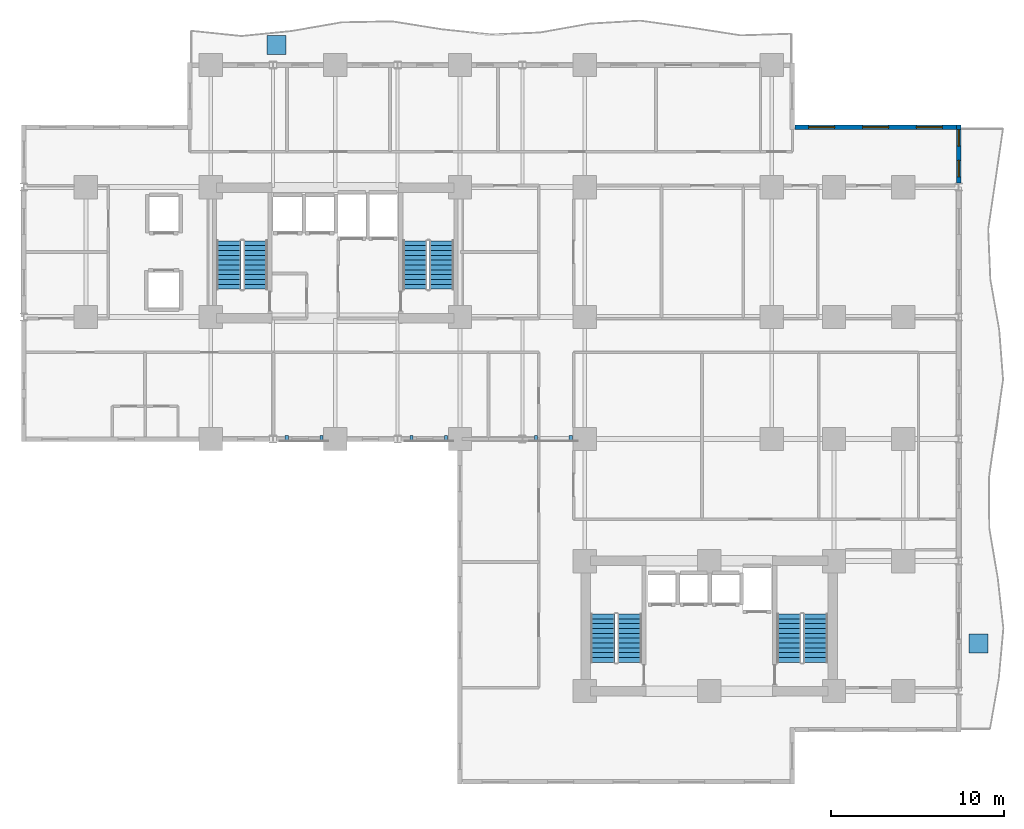
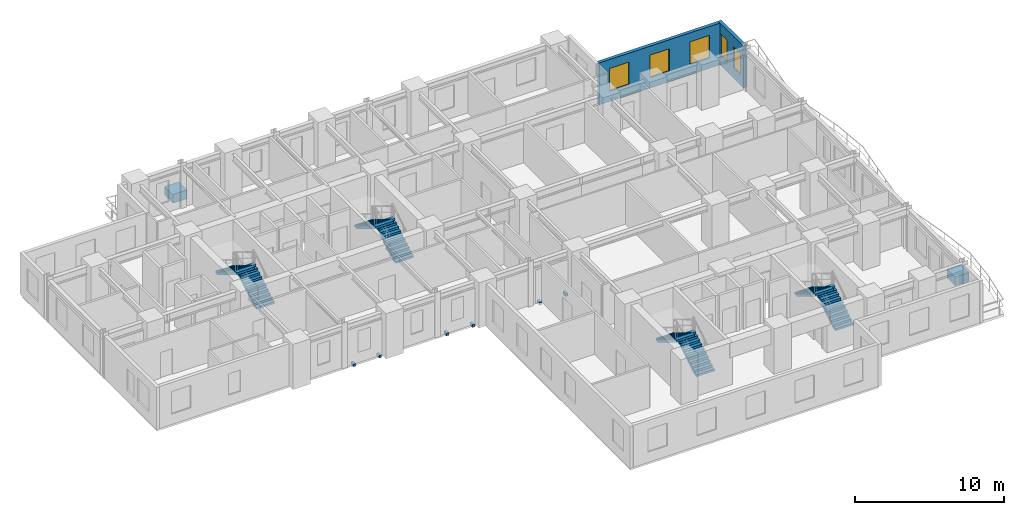
# One storey, part 8 of 11: 8 discrete accessories, 8 stair flights, 5 windows, 2 walls, 5 openings, 4 elements without a shape of their own.
"""IFC4 building model written with IfcOpenShell, lengths in metres."""

from ifc_helpers import new_model, si_unit, direction, frame, frame_2d, origin, origin_2d, place, context, subcontext, project, spatial, polyline, rectangle, outline, extrude, source, transform, mapped, material, layer, layer_set, type_object, element, fill, aggregate, save


model = new_model("IFC4")

# Units and contexts
model_context = context("Model", 3, precision=1e-05, world=origin(), true_north=direction((0.0, 1.0)))
body_context = subcontext(model_context, "Body", "Model", "MODEL_VIEW")
ifc_project = project(units=[si_unit("LENGTHUNIT", "METRE"), si_unit("AREAUNIT", "SQUARE_METRE"), si_unit("VOLUMEUNIT", "CUBIC_METRE"), si_unit("PLANEANGLEUNIT", "RADIAN"), si_unit("MASSUNIT", "GRAM", prefix="KILO")], contexts=[model_context])

# Site, building, storey
site_placement = place(None, origin())
site = spatial("IfcSite", under=ifc_project, at=site_placement, CompositionType="ELEMENT")
building_placement = place(site_placement, origin())
building = spatial("IfcBuilding", under=site, at=building_placement, Name="Kaliganga Portal Commons", CompositionType="ELEMENT")
storey_placement = place(building_placement, frame((0.0, 0.0, 58.60009765625)))
storey = spatial("IfcBuildingStorey", under=building, at=storey_placement, Name="L14", CompositionType="ELEMENT", Elevation=58.60009765625)

# Wall, openings, windows
ifc_material_1 = material(Name="Insulated Aluminium-Clad Spandrel Assembly", Category="aluminium")
ifc_layer = layer(ifc_material_1, 0.260009765625)
ifc_layer_set = layer_set([ifc_layer], Name="Insulated Aluminium-Clad Spandrel Assembly")
wall_type = type_object("IfcWallType", Name="WL-EXT-SPAND-260", PredefinedType="STANDARD", material=ifc_layer_set)
wall_1_placement = place(storey_placement, frame((57.60009765625, 39.72998046875, 0.0), z_axis=(0.0, 0.0, 1.0), x_axis=(0.0, -1.0, 0.0)))
wall_1 = element("IfcWall", 1, at=wall_1_placement, inside=storey, type_object=wall_type, Name="Exterior Envelope Wall L14 P1-E03-S6", PredefinedType="STANDARD", context=body_context, shape_type="SweptSolid", body=[
    extrude(rectangle(XDim=3.35595703125, YDim=0.260009765625, at=frame_2d((1.677978515625, 0.0))), origin(), (0.0, 0.0, 1.0), 3.429931640625),
])
opening_1_placement = place(wall_1_placement, frame((2.035400390625, 0.0, 0.85009765625)))
opening_1 = element("IfcOpeningElement", 2, at=opening_1_placement, cuts=wall_1, Name="Opening W-04", PredefinedType="OPENING", context=body_context, shape_type="SweptSolid", body=[
    extrude(rectangle(XDim=0.949951171875, YDim=1.75, at=frame_2d((0.47509765625, 0.875))), frame((0.0, 0.14013671875, 0.0), z_axis=(0.0, -1.0, 0.0), x_axis=(1.0, 0.0, 0.0)), (0.0, 0.0, 1.0), 0.280029296875),
])
opening_2_placement = place(wall_1_placement, frame((0.26318359375, 0.0, 0.85009765625)))
opening_2 = element("IfcOpeningElement", 3, at=opening_2_placement, cuts=wall_1, Name="Opening W-04", PredefinedType="OPENING", context=body_context, shape_type="SweptSolid", body=[
    extrude(rectangle(XDim=0.949951171875, YDim=1.75, at=frame_2d((0.47509765625, 0.875))), frame((0.0, 0.14013671875, 0.0), z_axis=(0.0, -1.0, 0.0), x_axis=(1.0, 0.0, 0.0)), (0.0, 0.0, 1.0), 0.280029296875),
])
ifc_material_2 = material(Name="Thermally Broken Aluminium and Low-E Double Glazing", Category="aluminium")
window_type_1 = type_object("IfcWindowType", Name="WIN-NARROW-950", PartitioningType="SINGLE_PANEL", PredefinedType="WINDOW", material=ifc_material_2)
window_1_placement = place(opening_1_placement, origin())
window_1 = element("IfcWindow", 4, at=window_1_placement, inside=storey, type_object=window_type_1, Name="Facade Window L14-P1E03S6-N2", OverallHeight=1.75, OverallWidth=0.949951171875, PartitioningType="SINGLE_PANEL", PredefinedType="WINDOW", context=body_context, shape_type="SweptSolid", body=[
    extrude(rectangle(XDim=0.949951171875, YDim=1.75, at=frame_2d((0.47509765625, 0.875))), frame((0.0, 0.030029296875, 0.0), z_axis=(0.0, -1.0, 0.0), x_axis=(1.0, 0.0, 0.0)), (0.0, 0.0, 1.0), 0.06005859375),
])
fill(opening_1, window_1)
window_2_placement = place(opening_2_placement, origin())
window_2 = element("IfcWindow", 5, at=window_2_placement, inside=storey, type_object=window_type_1, Name="Facade Window L14-P1E03S6-N9", OverallHeight=1.75, OverallWidth=0.949951171875, PartitioningType="SINGLE_PANEL", PredefinedType="WINDOW", context=body_context, shape_type="SweptSolid", body=[
    extrude(rectangle(XDim=0.949951171875, YDim=1.75, at=frame_2d((0.47509765625, 0.875))), frame((0.0, 0.030029296875, 0.0), z_axis=(0.0, -1.0, 0.0), x_axis=(1.0, 0.0, 0.0)), (0.0, 0.0, 1.0), 0.06005859375),
])
fill(opening_2, window_2)

wall_2_placement = place(storey_placement, frame((48.135009765625, 39.60009765625, 0.0), z_axis=(0.0, 0.0, 1.0), x_axis=(1.0, 0.0, 0.0)))
wall_2 = element("IfcWall", 6, at=wall_2_placement, inside=storey, type_object=wall_type, Name="Exterior Envelope Wall L14 P1-E04-S1", PredefinedType="STANDARD", context=body_context, shape_type="SweptSolid", body=[
    extrude(rectangle(XDim=9.330078125, YDim=0.260009765625, at=frame_2d((4.6650390625, 0.0))), origin(), (0.0, 0.0, 1.0), 3.429931640625),
])
opening_3_placement = place(wall_2_placement, frame((0.804931640625, 0.0, 0.85009765625)))
opening_3 = element("IfcOpeningElement", 7, at=opening_3_placement, cuts=wall_2, Name="Opening W-02", PredefinedType="OPENING", context=body_context, shape_type="SweptSolid", body=[
    extrude(rectangle(XDim=1.5, YDim=1.85009765625, at=frame_2d((0.75, 0.925048828125))), frame((0.0, 0.14013671875, 0.0), z_axis=(0.0, -1.0, 0.0), x_axis=(1.0, 0.0, 0.0)), (0.0, 0.0, 1.0), 0.280029296875),
])
opening_4_placement = place(wall_2_placement, frame((3.9150390625, 0.0, 0.85009765625)))
opening_4 = element("IfcOpeningElement", 8, at=opening_4_placement, cuts=wall_2, Name="Opening W-02", PredefinedType="OPENING", context=body_context, shape_type="SweptSolid", body=[
    extrude(rectangle(XDim=1.5, YDim=1.85009765625, at=frame_2d((0.75, 0.925048828125))), frame((0.0, 0.14013671875, 0.0), z_axis=(0.0, -1.0, 0.0), x_axis=(1.0, 0.0, 0.0)), (0.0, 0.0, 1.0), 0.280029296875),
])
opening_5_placement = place(wall_2_placement, frame((7.02490234375, 0.0, 0.85009765625)))
opening_5 = element("IfcOpeningElement", 9, at=opening_5_placement, cuts=wall_2, Name="Opening W-02", PredefinedType="OPENING", context=body_context, shape_type="SweptSolid", body=[
    extrude(rectangle(XDim=1.5, YDim=1.85009765625, at=frame_2d((0.75, 0.925048828125))), frame((0.0, 0.14013671875, 0.0), z_axis=(0.0, -1.0, 0.0), x_axis=(1.0, 0.0, 0.0)), (0.0, 0.0, 1.0), 0.280029296875),
])
window_type_2 = type_object("IfcWindowType", Name="WIN-STD-1500", PartitioningType="DOUBLE_PANEL_VERTICAL", PredefinedType="WINDOW", material=ifc_material_2)
window_3_placement = place(opening_3_placement, origin())
window_3 = element("IfcWindow", 10, at=window_3_placement, inside=storey, type_object=window_type_2, Name="Facade Window L14-P1E04S1-00", OverallHeight=1.85009765625, OverallWidth=1.5, PartitioningType="SINGLE_PANEL", PredefinedType="WINDOW", context=body_context, shape_type="SweptSolid", body=[
    extrude(rectangle(XDim=1.5, YDim=1.85009765625, at=frame_2d((0.75, 0.925048828125))), frame((0.0, 0.030029296875, 0.0), z_axis=(0.0, -1.0, 0.0), x_axis=(1.0, 0.0, 0.0)), (0.0, 0.0, 1.0), 0.06005859375),
])
fill(opening_3, window_3)
window_4_placement = place(opening_4_placement, origin())
window_4 = element("IfcWindow", 11, at=window_4_placement, inside=storey, type_object=window_type_2, Name="Facade Window L14-P1E04S1-01", OverallHeight=1.85009765625, OverallWidth=1.5, PartitioningType="SINGLE_PANEL", PredefinedType="WINDOW", context=body_context, shape_type="SweptSolid", body=[
    extrude(rectangle(XDim=1.5, YDim=1.85009765625, at=frame_2d((0.75, 0.925048828125))), frame((0.0, 0.030029296875, 0.0), z_axis=(0.0, -1.0, 0.0), x_axis=(1.0, 0.0, 0.0)), (0.0, 0.0, 1.0), 0.06005859375),
])
fill(opening_4, window_4)
window_5_placement = place(opening_5_placement, origin())
window_5 = element("IfcWindow", 12, at=window_5_placement, inside=storey, type_object=window_type_2, Name="Facade Window L14-P1E04S1-02", OverallHeight=1.85009765625, OverallWidth=1.5, PartitioningType="SINGLE_PANEL", PredefinedType="WINDOW", context=body_context, shape_type="SweptSolid", body=[
    extrude(rectangle(XDim=1.5, YDim=1.85009765625, at=frame_2d((0.75, 0.925048828125))), frame((0.0, 0.030029296875, 0.0), z_axis=(0.0, -1.0, 0.0), x_axis=(1.0, 0.0, 0.0)), (0.0, 0.0, 1.0), 0.06005859375),
])
fill(opening_5, window_5)

# Stair, stair flights
ifc_material_3 = material(Name="Concrete C40/50", Category="concrete")
stair_type = type_object("IfcStairType", Name="ST-CORE-DOGLEG", PredefinedType="HALF_TURN_STAIR", material=ifc_material_3)
stair_1_placement = place(storey_placement, origin())
stair_1 = element("IfcStair", 13, at=stair_1_placement, inside=storey, type_object=stair_type, Name="L14 Protected Exit Stair ST-A1", PredefinedType="HALF_TURN_STAIR")
stair_flight_type = type_object("IfcStairFlightType", Name="STF-RC-1400", PredefinedType="STRAIGHT", material=ifc_material_3)
stair_flight_1_placement = place(storey_placement, frame((17.0, 30.25, 0.0), z_axis=(0.0, 0.0, 1.0), x_axis=(0.0, 1.0, 0.0)))
stair_flight_1 = element("IfcStairFlight", 14, at=stair_flight_1_placement, type_object=stair_flight_type, Name="ST-A1 flight 1", NumberOfRisers=11, NumberOfTreads=10, PredefinedType="STRAIGHT", RiserHeight=0.168181818, TreadLength=0.28, context=body_context, shape_type="SweptSolid", body=[
    extrude(outline(polyline([(0.0, 0.0), (0.0, 0.168212890625), (0.280029296875, 0.168212890625), (0.280029296875, 0.33642578125), (0.56005859375, 0.33642578125), (0.56005859375, 0.504638671875), (0.840087890625, 0.504638671875), (0.840087890625, 0.672607421875), (1.1201171875, 0.672607421875), (1.1201171875, 0.8408203125), (1.39990234375, 0.8408203125), (1.39990234375, 1.009033203125), (1.679931640625, 1.009033203125), (1.679931640625, 1.17724609375), (1.9599609375, 1.17724609375), (1.9599609375, 1.345458984375), (2.239990234375, 1.345458984375), (2.239990234375, 1.513671875), (2.52001953125, 1.513671875), (2.52001953125, 1.681884765625), (2.800048828125, 1.681884765625), (2.800048828125, 1.85009765625), (2.800048828125, 1.5068359375), (0.291015625, 0.0), (0.0, 0.0)])), frame((0.0, 0.699951171875, 0.0), z_axis=(0.0, -1.0, 0.0), x_axis=(1.0, 0.0, 0.0)), (0.0, 0.0, 1.0), 1.39990234375),
])
stair_flight_2_placement = place(storey_placement, frame((15.449951171875, 33.050048828125, 1.849853515625), z_axis=(0.0, 0.0, 1.0), x_axis=(0.0, -1.0, 0.0)))
stair_flight_2 = element("IfcStairFlight", 15, at=stair_flight_2_placement, type_object=stair_flight_type, Name="ST-A1 flight 2", NumberOfRisers=11, NumberOfTreads=10, PredefinedType="STRAIGHT", RiserHeight=0.168181818, TreadLength=0.28, context=body_context, shape_type="SweptSolid", body=[
    extrude(outline(polyline([(0.0, 0.0), (0.0, 0.168212890625), (0.280029296875, 0.168212890625), (0.280029296875, 0.33642578125), (0.56005859375, 0.33642578125), (0.56005859375, 0.504638671875), (0.840087890625, 0.504638671875), (0.840087890625, 0.672607421875), (1.1201171875, 0.672607421875), (1.1201171875, 0.8408203125), (1.39990234375, 0.8408203125), (1.39990234375, 1.009033203125), (1.679931640625, 1.009033203125), (1.679931640625, 1.17724609375), (1.9599609375, 1.17724609375), (1.9599609375, 1.345458984375), (2.239990234375, 1.345458984375), (2.239990234375, 1.513671875), (2.52001953125, 1.513671875), (2.52001953125, 1.681884765625), (2.800048828125, 1.681884765625), (2.800048828125, 1.85009765625), (2.800048828125, 1.5068359375), (0.291015625, 0.0), (0.0, 0.0)])), frame((0.0, 0.699951171875, 0.0), z_axis=(0.0, -1.0, 0.0), x_axis=(1.0, 0.0, 0.0)), (0.0, 0.0, 1.0), 1.39990234375),
])
aggregate(stair_1, [stair_flight_1, stair_flight_2])

stair_2_placement = place(storey_placement, origin())
stair_2 = element("IfcStair", 16, at=stair_2_placement, inside=storey, type_object=stair_type, Name="L14 Protected Exit Stair ST-A2", PredefinedType="HALF_TURN_STAIR")
stair_flight_3_placement = place(storey_placement, frame((27.75, 30.25, 0.0), z_axis=(0.0, 0.0, 1.0), x_axis=(0.0, 1.0, 0.0)))
stair_flight_3 = element("IfcStairFlight", 17, at=stair_flight_3_placement, type_object=stair_flight_type, Name="ST-A2 flight 1", NumberOfRisers=11, NumberOfTreads=10, PredefinedType="STRAIGHT", RiserHeight=0.168181818, TreadLength=0.28, context=body_context, shape_type="SweptSolid", body=[
    extrude(outline(polyline([(0.0, 0.0), (0.0, 0.168212890625), (0.280029296875, 0.168212890625), (0.280029296875, 0.33642578125), (0.56005859375, 0.33642578125), (0.56005859375, 0.504638671875), (0.840087890625, 0.504638671875), (0.840087890625, 0.672607421875), (1.1201171875, 0.672607421875), (1.1201171875, 0.8408203125), (1.39990234375, 0.8408203125), (1.39990234375, 1.009033203125), (1.679931640625, 1.009033203125), (1.679931640625, 1.17724609375), (1.9599609375, 1.17724609375), (1.9599609375, 1.345458984375), (2.239990234375, 1.345458984375), (2.239990234375, 1.513671875), (2.52001953125, 1.513671875), (2.52001953125, 1.681884765625), (2.800048828125, 1.681884765625), (2.800048828125, 1.85009765625), (2.800048828125, 1.5068359375), (0.291015625, 0.0), (0.0, 0.0)])), frame((0.0, 0.699951171875, 0.0), z_axis=(0.0, -1.0, 0.0), x_axis=(1.0, 0.0, 0.0)), (0.0, 0.0, 1.0), 1.39990234375),
])
stair_flight_4_placement = place(storey_placement, frame((26.199951171875, 33.050048828125, 1.849853515625), z_axis=(0.0, 0.0, 1.0), x_axis=(0.0, -1.0, 0.0)))
stair_flight_4 = element("IfcStairFlight", 18, at=stair_flight_4_placement, type_object=stair_flight_type, Name="ST-A2 flight 2", NumberOfRisers=11, NumberOfTreads=10, PredefinedType="STRAIGHT", RiserHeight=0.168181818, TreadLength=0.28, context=body_context, shape_type="SweptSolid", body=[
    extrude(outline(polyline([(0.0, 0.0), (0.0, 0.168212890625), (0.280029296875, 0.168212890625), (0.280029296875, 0.33642578125), (0.56005859375, 0.33642578125), (0.56005859375, 0.504638671875), (0.840087890625, 0.504638671875), (0.840087890625, 0.672607421875), (1.1201171875, 0.672607421875), (1.1201171875, 0.8408203125), (1.39990234375, 0.8408203125), (1.39990234375, 1.009033203125), (1.679931640625, 1.009033203125), (1.679931640625, 1.17724609375), (1.9599609375, 1.17724609375), (1.9599609375, 1.345458984375), (2.239990234375, 1.345458984375), (2.239990234375, 1.513671875), (2.52001953125, 1.513671875), (2.52001953125, 1.681884765625), (2.800048828125, 1.681884765625), (2.800048828125, 1.85009765625), (2.800048828125, 1.5068359375), (0.291015625, 0.0), (0.0, 0.0)])), frame((0.0, 0.699951171875, 0.0), z_axis=(0.0, -1.0, 0.0), x_axis=(1.0, 0.0, 0.0)), (0.0, 0.0, 1.0), 1.39990234375),
])
aggregate(stair_2, [stair_flight_3, stair_flight_4])

stair_3_placement = place(storey_placement, origin())
stair_3 = element("IfcStair", 19, at=stair_3_placement, inside=storey, type_object=stair_type, Name="L14 Protected Exit Stair ST-B1", PredefinedType="HALF_TURN_STAIR")
stair_flight_5_placement = place(storey_placement, frame((38.60009765625, 8.699951171875, 0.0), z_axis=(0.0, 0.0, 1.0), x_axis=(0.0, 1.0, 0.0)))
stair_flight_5 = element("IfcStairFlight", 20, at=stair_flight_5_placement, type_object=stair_flight_type, Name="ST-B1 flight 1", NumberOfRisers=11, NumberOfTreads=10, PredefinedType="STRAIGHT", RiserHeight=0.168181818, TreadLength=0.28, context=body_context, shape_type="SweptSolid", body=[
    extrude(outline(polyline([(0.0, 0.0), (0.0, 0.168212890625), (0.280029296875, 0.168212890625), (0.280029296875, 0.33642578125), (0.56005859375, 0.33642578125), (0.56005859375, 0.504638671875), (0.840087890625, 0.504638671875), (0.840087890625, 0.672607421875), (1.1201171875, 0.672607421875), (1.1201171875, 0.8408203125), (1.39990234375, 0.8408203125), (1.39990234375, 1.009033203125), (1.679931640625, 1.009033203125), (1.679931640625, 1.17724609375), (1.9599609375, 1.17724609375), (1.9599609375, 1.345458984375), (2.239990234375, 1.345458984375), (2.239990234375, 1.513671875), (2.52001953125, 1.513671875), (2.52001953125, 1.681884765625), (2.800048828125, 1.681884765625), (2.800048828125, 1.85009765625), (2.800048828125, 1.5068359375), (0.291015625, 0.0), (0.0, 0.0)])), frame((0.0, 0.699951171875, 0.0), z_axis=(0.0, -1.0, 0.0), x_axis=(1.0, 0.0, 0.0)), (0.0, 0.0, 1.0), 1.39990234375),
])
stair_flight_6_placement = place(storey_placement, frame((37.050048828125, 11.5, 1.849853515625), z_axis=(0.0, 0.0, 1.0), x_axis=(0.0, -1.0, 0.0)))
stair_flight_6 = element("IfcStairFlight", 21, at=stair_flight_6_placement, type_object=stair_flight_type, Name="ST-B1 flight 2", NumberOfRisers=11, NumberOfTreads=10, PredefinedType="STRAIGHT", RiserHeight=0.168181818, TreadLength=0.28, context=body_context, shape_type="SweptSolid", body=[
    extrude(outline(polyline([(0.0, 0.0), (0.0, 0.168212890625), (0.280029296875, 0.168212890625), (0.280029296875, 0.33642578125), (0.56005859375, 0.33642578125), (0.56005859375, 0.504638671875), (0.840087890625, 0.504638671875), (0.840087890625, 0.672607421875), (1.1201171875, 0.672607421875), (1.1201171875, 0.8408203125), (1.39990234375, 0.8408203125), (1.39990234375, 1.009033203125), (1.679931640625, 1.009033203125), (1.679931640625, 1.17724609375), (1.9599609375, 1.17724609375), (1.9599609375, 1.345458984375), (2.239990234375, 1.345458984375), (2.239990234375, 1.513671875), (2.52001953125, 1.513671875), (2.52001953125, 1.681884765625), (2.800048828125, 1.681884765625), (2.800048828125, 1.85009765625), (2.800048828125, 1.5068359375), (0.291015625, 0.0), (0.0, 0.0)])), frame((0.0, 0.699951171875, 0.0), z_axis=(0.0, -1.0, 0.0), x_axis=(1.0, 0.0, 0.0)), (0.0, 0.0, 1.0), 1.39990234375),
])
aggregate(stair_3, [stair_flight_5, stair_flight_6])

stair_4_placement = place(storey_placement, origin())
stair_4 = element("IfcStair", 22, at=stair_4_placement, inside=storey, type_object=stair_type, Name="L14 Protected Exit Stair ST-B2", PredefinedType="HALF_TURN_STAIR")
stair_flight_7_placement = place(storey_placement, frame((49.35009765625, 8.699951171875, 0.0), z_axis=(0.0, 0.0, 1.0), x_axis=(0.0, 1.0, 0.0)))
stair_flight_7 = element("IfcStairFlight", 23, at=stair_flight_7_placement, type_object=stair_flight_type, Name="ST-B2 flight 1", NumberOfRisers=11, NumberOfTreads=10, PredefinedType="STRAIGHT", RiserHeight=0.168181818, TreadLength=0.28, context=body_context, shape_type="SweptSolid", body=[
    extrude(outline(polyline([(0.0, 0.0), (0.0, 0.168212890625), (0.280029296875, 0.168212890625), (0.280029296875, 0.33642578125), (0.56005859375, 0.33642578125), (0.56005859375, 0.504638671875), (0.840087890625, 0.504638671875), (0.840087890625, 0.672607421875), (1.1201171875, 0.672607421875), (1.1201171875, 0.8408203125), (1.39990234375, 0.8408203125), (1.39990234375, 1.009033203125), (1.679931640625, 1.009033203125), (1.679931640625, 1.17724609375), (1.9599609375, 1.17724609375), (1.9599609375, 1.345458984375), (2.239990234375, 1.345458984375), (2.239990234375, 1.513671875), (2.52001953125, 1.513671875), (2.52001953125, 1.681884765625), (2.800048828125, 1.681884765625), (2.800048828125, 1.85009765625), (2.800048828125, 1.5068359375), (0.291015625, 0.0), (0.0, 0.0)])), frame((0.0, 0.699951171875, 0.0), z_axis=(0.0, -1.0, 0.0), x_axis=(1.0, 0.0, 0.0)), (0.0, 0.0, 1.0), 1.39990234375),
])
stair_flight_8_placement = place(storey_placement, frame((47.800048828125, 11.5, 1.849853515625), z_axis=(0.0, 0.0, 1.0), x_axis=(0.0, -1.0, 0.0)))
stair_flight_8 = element("IfcStairFlight", 24, at=stair_flight_8_placement, type_object=stair_flight_type, Name="ST-B2 flight 2", NumberOfRisers=11, NumberOfTreads=10, PredefinedType="STRAIGHT", RiserHeight=0.168181818, TreadLength=0.28, context=body_context, shape_type="SweptSolid", body=[
    extrude(outline(polyline([(0.0, 0.0), (0.0, 0.168212890625), (0.280029296875, 0.168212890625), (0.280029296875, 0.33642578125), (0.56005859375, 0.33642578125), (0.56005859375, 0.504638671875), (0.840087890625, 0.504638671875), (0.840087890625, 0.672607421875), (1.1201171875, 0.672607421875), (1.1201171875, 0.8408203125), (1.39990234375, 0.8408203125), (1.39990234375, 1.009033203125), (1.679931640625, 1.009033203125), (1.679931640625, 1.17724609375), (1.9599609375, 1.17724609375), (1.9599609375, 1.345458984375), (2.239990234375, 1.345458984375), (2.239990234375, 1.513671875), (2.52001953125, 1.513671875), (2.52001953125, 1.681884765625), (2.800048828125, 1.681884765625), (2.800048828125, 1.85009765625), (2.800048828125, 1.5068359375), (0.291015625, 0.0), (0.0, 0.0)])), frame((0.0, 0.699951171875, 0.0), z_axis=(0.0, -1.0, 0.0), x_axis=(1.0, 0.0, 0.0)), (0.0, 0.0, 1.0), 1.39990234375),
])
aggregate(stair_4, [stair_flight_7, stair_flight_8])

# Discrete accessories
ifc_material_4 = material(Name="Precast concrete C40/50", Category="concrete")
discrete_accessory_type_1 = type_object("IfcDiscreteAccessoryType", Name="DAC-PLANTER-RC", PredefinedType="USERDEFINED", material=ifc_material_4)
shared_shape_1 = source(origin(), body_context, "Body", "SweptSolid", [
    extrude(rectangle(XDim=1.10009765625, YDim=1.10009765625, at=origin_2d()), origin(), (0.0, 0.0, 1.0), 0.719970703125),
])
for number, where, z_axis, x_axis, name in (
    (25, (18.199951171875, 44.35009765625, 0.0), (0.0, 0.0, 1.0), (1.0, 0.0, 0.0), "Structural Tree Planter L14 balc_north"),
    (26, (58.75, 9.800048828125, 0.0), (0.0, 0.0, 1.0), (1.0, 0.0, 0.0), "Structural Tree Planter L14 balc_east"),
):
    element("IfcDiscreteAccessory", number, at=place(storey_placement, frame(where, z_axis=z_axis, x_axis=x_axis)), inside=storey, type_object=discrete_accessory_type_1, Name=name, ObjectType="PLANTER", PredefinedType="USERDEFINED", context=body_context, shape_type="MappedRepresentation", body=[
        mapped(shared_shape_1, transform((0.0, 0.0, 0.0), x_axis=(1.0, 0.0, 0.0), y_axis=(0.0, 1.0, 0.0), z_axis=(0.0, 0.0, 1.0), scale=1.0)),
    ])
ifc_material_5 = material(Name="Structural steel S355J2", Category="steel")
discrete_accessory_type_2 = type_object("IfcDiscreteAccessoryType", Name="DAC-BRK-SCR", PredefinedType="BRACKET", material=ifc_material_5)
shared_shape_2 = source(origin(), body_context, "Body", "SweptSolid", [
    extrude(rectangle(XDim=0.179931640625, YDim=0.360107421875, at=origin_2d()), origin(), (0.0, 0.0, 1.0), 0.219970703125),
])
for number, where, z_axis, x_axis, name in (
    (27, (18.800048828125, 21.6201171875, -0.18994140625), (0.0, 0.0, 1.0), (1.0, 0.0, 0.0), "Solar Screen Outrigger Bracket L14-S1-1"),
    (28, (20.800048828125, 21.6201171875, -0.18994140625), (0.0, 0.0, 1.0), (1.0, 0.0, 0.0), "Solar Screen Outrigger Bracket L14-S1-2"),
    (29, (26.0, 21.6201171875, -0.18994140625), (0.0, 0.0, 1.0), (1.0, 0.0, 0.0), "Solar Screen Outrigger Bracket L14-S2-1"),
    (30, (28.0, 21.6201171875, -0.18994140625), (0.0, 0.0, 1.0), (1.0, 0.0, 0.0), "Solar Screen Outrigger Bracket L14-S2-2"),
    (31, (33.199951171875, 21.6201171875, -0.18994140625), (0.0, 0.0, 1.0), (1.0, 0.0, 0.0), "Solar Screen Outrigger Bracket L14-S3-1"),
    (32, (35.199951171875, 21.6201171875, -0.18994140625), (0.0, 0.0, 1.0), (1.0, 0.0, 0.0), "Solar Screen Outrigger Bracket L14-S3-2"),
):
    element("IfcDiscreteAccessory", number, at=place(storey_placement, frame(where, z_axis=z_axis, x_axis=x_axis)), inside=storey, type_object=discrete_accessory_type_2, Name=name, PredefinedType="BRACKET", context=body_context, shape_type="MappedRepresentation", body=[
        mapped(shared_shape_2, transform((0.0, 0.0, 0.0), x_axis=(1.0, 0.0, 0.0), y_axis=(0.0, 1.0, 0.0), z_axis=(0.0, 0.0, 1.0), scale=1.0)),
    ])

save(model, "model.ifc")
